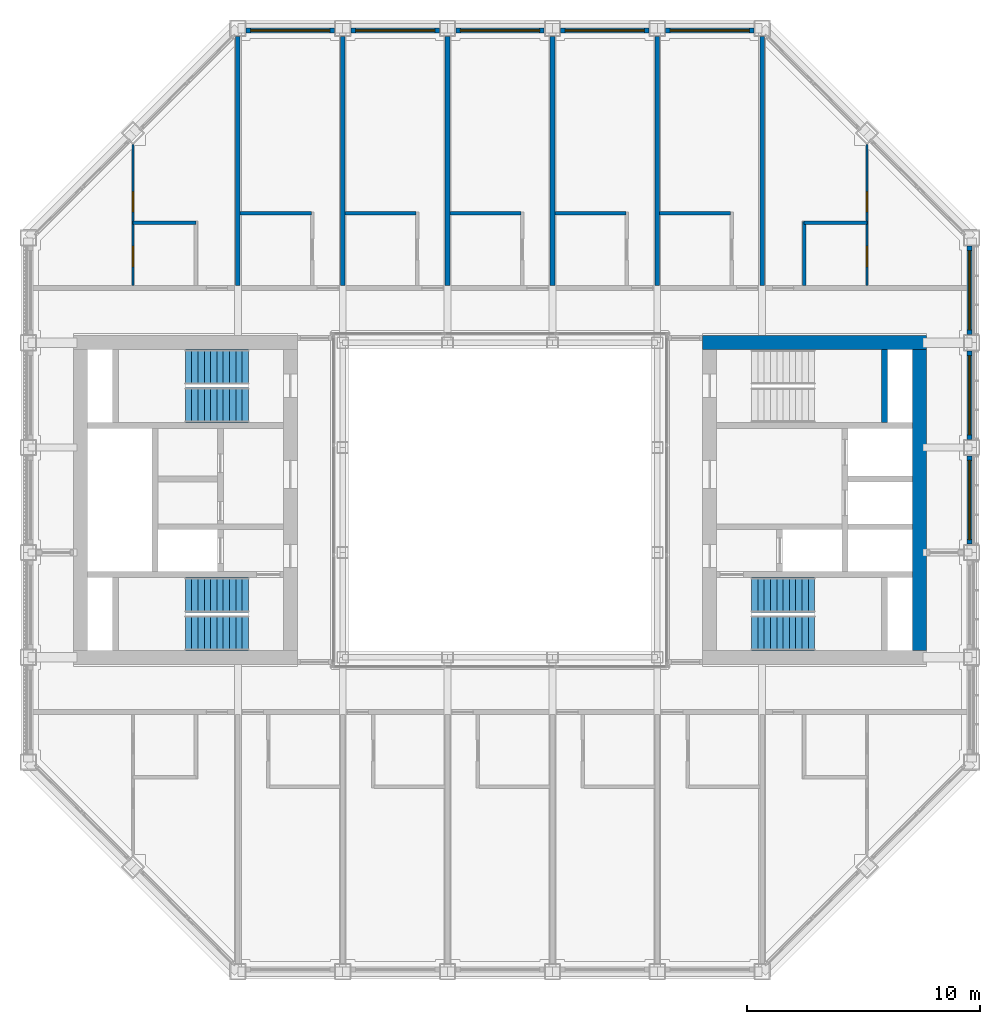
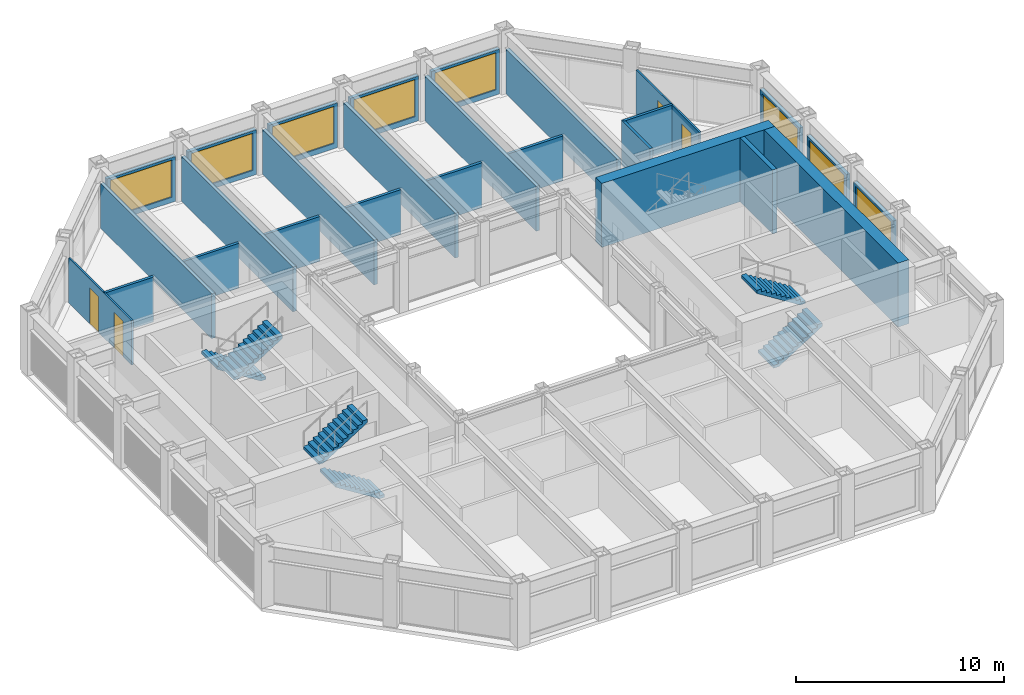
# One storey, part 12 of 18: 27 walls, 8 windows, 6 stair flights, 4 doors, 12 openings, 3 elements without a shape of their own.
"""IFC4 building model written with IfcOpenShell, lengths in metres."""

from ifc_helpers import new_model, si_unit, direction, frame, frame_2d, origin, place, context, subcontext, project, spatial, polyline, rectangle, outline, extrude, material, layer, layer_set, type_object, element, fill, aggregate, save


model = new_model("IFC4")

# Units and contexts
model_context = context("Model", 3, precision=1e-05, world=origin(), true_north=direction((0.0, 1.0)))
body_context = subcontext(model_context, "Body", "Model", "MODEL_VIEW")
ifc_project = project(units=[si_unit("LENGTHUNIT", "METRE"), si_unit("AREAUNIT", "SQUARE_METRE"), si_unit("VOLUMEUNIT", "CUBIC_METRE"), si_unit("PLANEANGLEUNIT", "RADIAN"), si_unit("MASSUNIT", "GRAM", prefix="KILO")], contexts=[model_context])

# Site, building, storey
site_placement = place(None, origin())
site = spatial("IfcSite", under=ifc_project, at=site_placement, CompositionType="ELEMENT")
building_placement = place(site_placement, origin())
building = spatial("IfcBuilding", under=site, at=building_placement, Name="Msasa Ring Tower", CompositionType="ELEMENT")
storey_placement = place(building_placement, frame((0.0, 0.0, 204.550048828125)))
storey = spatial("IfcBuildingStorey", under=building, at=storey_placement, Name="L53", CompositionType="ELEMENT", Elevation=204.550048828125)

# Walls
ifc_material_1 = material(Name="Concrete C60/75", Category="concrete")
ifc_layer_1 = layer(ifc_material_1, 0.60009765625)
ifc_layer_set_1 = layer_set([ifc_layer_1], Name="CW3 CORE WALL 600")
wall_type_1 = type_object("IfcWallType", Name="CW3 CORE WALL 600", PredefinedType="SHEAR", material=ifc_layer_set_1)
wall_1_placement = place(storey_placement, frame((8.699951171875, 6.75, 0.0), z_axis=(0.0, 0.0, 1.0), x_axis=(1.0, 0.0, 0.0)))
element("IfcWall", 1, at=wall_1_placement, inside=storey, type_object=wall_type_1, Name="E core wall N L53", PredefinedType="SHEAR", context=body_context, shape_type="SweptSolid", body=[
    extrude(rectangle(XDim=9.60009765625, YDim=0.60009765625, at=frame_2d((4.800048828125, 0.0))), origin(), (0.0, 0.0, 1.0), 3.75),
])
wall_2_placement = place(storey_placement, frame((18.0, -6.449951171875, 0.0), z_axis=(0.0, 0.0, 1.0), x_axis=(0.0, 1.0, 0.0)))
element("IfcWall", 2, at=wall_2_placement, inside=storey, type_object=wall_type_1, Name="E core wall E L53", PredefinedType="SHEAR", context=body_context, shape_type="SweptSolid", body=[
    extrude(rectangle(XDim=12.89990234375, YDim=0.60009765625, at=frame_2d((6.449951171875, 0.0))), origin(), (0.0, 0.0, 1.0), 3.75),
])
ifc_material_2 = material(Name="Concrete C60/75", Category="concrete")
ifc_layer_2 = layer(ifc_material_2, 0.25)
ifc_layer_set_2 = layer_set([ifc_layer_2], Name="CW4 CORE INNER WALL 250")
wall_type_2 = type_object("IfcWallType", Name="CW4 CORE INNER WALL 250", PredefinedType="SHEAR", material=ifc_layer_set_2)
wall_3_placement = place(storey_placement, frame((16.5, 3.324951171875, 0.0), z_axis=(0.0, 0.0, 1.0), x_axis=(0.0, 1.0, 0.0)))
element("IfcWall", 3, at=wall_3_placement, inside=storey, type_object=wall_type_2, Name="E core wall RISERB L53", PredefinedType="SHEAR", context=body_context, shape_type="SweptSolid", body=[
    extrude(rectangle(XDim=3.125, YDim=0.25, at=frame_2d((1.5625, 0.0))), origin(), (0.0, 0.0, 1.0), 3.75),
])

# Wall, opening, window
ifc_material_3 = material(Name="Terracotta rainscreen on blockwork", Category="masonry")
ifc_layer_3 = layer(ifc_material_3, 0.199951171875)
ifc_layer_set_3 = layer_set([ifc_layer_3], Name="FW1 TERRACOTTA-LINED INFILL BAY WALL 200")
wall_type_3 = type_object("IfcWallType", Name="FW1 TERRACOTTA-LINED INFILL BAY WALL 200", PredefinedType="SOLIDWALL", material=ifc_layer_set_3)
wall_4_placement = place(storey_placement, frame((20.14990234375, -1.89501953125, 0.0), z_axis=(0.0, 0.0, 1.0), x_axis=(0.0, 1.0, 0.0)))
wall_4 = element("IfcWall", 4, at=wall_4_placement, inside=storey, type_object=wall_type_3, Name="Infill bay wall E L53 09", PredefinedType="SOLIDWALL", context=body_context, shape_type="SweptSolid", body=[
    extrude(rectangle(XDim=3.7900390625, YDim=0.199951171875, at=frame_2d((1.89501953125, 0.0))), origin(), (0.0, 0.0, 1.0), 2.62890625),
])
opening_1_placement = place(wall_4_placement, frame((0.195068359375, 0.0, 0.300048828125)))
opening_1 = element("IfcOpeningElement", 5, at=opening_1_placement, cuts=wall_4, Name="Opening WN3", PredefinedType="OPENING", context=body_context, shape_type="SweptSolid", body=[
    extrude(rectangle(XDim=3.39990234375, YDim=2.178955078125, at=frame_2d((1.699951171875, 1.08935546875))), frame((0.0, 0.10986328125, 0.0), z_axis=(0.0, -1.0, 0.0), x_axis=(1.0, 0.0, 0.0)), (0.0, 0.0, 1.0), 0.219970703125),
])
ifc_material_4 = material(Name="Aluminium frame with clear glass", Category="aluminium")
window_type = type_object("IfcWindowType", Name="WN3 SUITE WINDOW 3400x2179", PartitioningType="SINGLE_PANEL", PredefinedType="WINDOW", material=ifc_material_4)
window_1_placement = place(opening_1_placement, origin())
window_1 = element("IfcWindow", 6, at=window_1_placement, inside=storey, type_object=window_type, Name="Window E L53 09", OverallHeight=2.178955078125, OverallWidth=3.39990234375, PartitioningType="SINGLE_PANEL", PredefinedType="WINDOW", context=body_context, shape_type="SweptSolid", body=[
    extrude(rectangle(XDim=3.39990234375, YDim=2.178955078125, at=frame_2d((1.699951171875, 1.08935546875))), frame((0.0, 0.030029296875, 0.0), z_axis=(0.0, -1.0, 0.0), x_axis=(1.0, 0.0, 0.0)), (0.0, 0.0, 1.0), 0.06005859375),
])
fill(opening_1, window_1)

wall_5_placement = place(storey_placement, frame((20.14990234375, 2.60498046875, 0.0), z_axis=(0.0, 0.0, 1.0), x_axis=(0.0, 1.0, 0.0)))
wall_5 = element("IfcWall", 7, at=wall_5_placement, inside=storey, type_object=wall_type_3, Name="Infill bay wall E L53 10", PredefinedType="SOLIDWALL", context=body_context, shape_type="SweptSolid", body=[
    extrude(rectangle(XDim=3.7900390625, YDim=0.199951171875, at=frame_2d((1.89501953125, 0.0))), origin(), (0.0, 0.0, 1.0), 2.62890625),
])
opening_2_placement = place(wall_5_placement, frame((0.195068359375, 0.0, 0.300048828125)))
opening_2 = element("IfcOpeningElement", 8, at=opening_2_placement, cuts=wall_5, Name="Opening WN3", PredefinedType="OPENING", context=body_context, shape_type="SweptSolid", body=[
    extrude(rectangle(XDim=3.39990234375, YDim=2.178955078125, at=frame_2d((1.699951171875, 1.08935546875))), frame((0.0, 0.10986328125, 0.0), z_axis=(0.0, -1.0, 0.0), x_axis=(1.0, 0.0, 0.0)), (0.0, 0.0, 1.0), 0.219970703125),
])
window_2_placement = place(opening_2_placement, origin())
window_2 = element("IfcWindow", 9, at=window_2_placement, inside=storey, type_object=window_type, Name="Window E L53 10", OverallHeight=2.178955078125, OverallWidth=3.39990234375, PartitioningType="SINGLE_PANEL", PredefinedType="WINDOW", context=body_context, shape_type="SweptSolid", body=[
    extrude(rectangle(XDim=3.39990234375, YDim=2.178955078125, at=frame_2d((1.699951171875, 1.08935546875))), frame((0.0, 0.030029296875, 0.0), z_axis=(0.0, -1.0, 0.0), x_axis=(1.0, 0.0, 0.0)), (0.0, 0.0, 1.0), 0.06005859375),
])
fill(opening_2, window_2)

wall_6_placement = place(storey_placement, frame((20.14990234375, 7.10498046875, 0.0), z_axis=(0.0, 0.0, 1.0), x_axis=(0.0, 1.0, 0.0)))
wall_6 = element("IfcWall", 10, at=wall_6_placement, inside=storey, type_object=wall_type_3, Name="Infill bay wall E L53 11", PredefinedType="SOLIDWALL", context=body_context, shape_type="SweptSolid", body=[
    extrude(rectangle(XDim=3.7900390625, YDim=0.199951171875, at=frame_2d((1.89501953125, 0.0))), origin(), (0.0, 0.0, 1.0), 2.62890625),
])
opening_3_placement = place(wall_6_placement, frame((0.195068359375, 0.0, 0.300048828125)))
opening_3 = element("IfcOpeningElement", 11, at=opening_3_placement, cuts=wall_6, Name="Opening WN3", PredefinedType="OPENING", context=body_context, shape_type="SweptSolid", body=[
    extrude(rectangle(XDim=3.39990234375, YDim=2.178955078125, at=frame_2d((1.699951171875, 1.08935546875))), frame((0.0, 0.10986328125, 0.0), z_axis=(0.0, -1.0, 0.0), x_axis=(1.0, 0.0, 0.0)), (0.0, 0.0, 1.0), 0.219970703125),
])
window_3_placement = place(opening_3_placement, origin())
window_3 = element("IfcWindow", 12, at=window_3_placement, inside=storey, type_object=window_type, Name="Window E L53 11", OverallHeight=2.178955078125, OverallWidth=3.39990234375, PartitioningType="SINGLE_PANEL", PredefinedType="WINDOW", context=body_context, shape_type="SweptSolid", body=[
    extrude(rectangle(XDim=3.39990234375, YDim=2.178955078125, at=frame_2d((1.699951171875, 1.08935546875))), frame((0.0, 0.030029296875, 0.0), z_axis=(0.0, -1.0, 0.0), x_axis=(1.0, 0.0, 0.0)), (0.0, 0.0, 1.0), 0.06005859375),
])
fill(opening_3, window_3)

wall_7_placement = place(storey_placement, frame((-10.89501953125, 20.14990234375, 0.0), z_axis=(0.0, 0.0, 1.0), x_axis=(1.0, 0.0, 0.0)))
wall_7 = element("IfcWall", 13, at=wall_7_placement, inside=storey, type_object=wall_type_3, Name="Infill bay wall N L53 14", PredefinedType="SOLIDWALL", context=body_context, shape_type="SweptSolid", body=[
    extrude(rectangle(XDim=3.7900390625, YDim=0.199951171875, at=frame_2d((1.89501953125, 0.0))), origin(), (0.0, 0.0, 1.0), 2.62890625),
])
opening_4_placement = place(wall_7_placement, frame((0.195068359375, 0.0, 0.300048828125)))
opening_4 = element("IfcOpeningElement", 14, at=opening_4_placement, cuts=wall_7, Name="Opening WN3", PredefinedType="OPENING", context=body_context, shape_type="SweptSolid", body=[
    extrude(rectangle(XDim=3.39990234375, YDim=2.178955078125, at=frame_2d((1.699951171875, 1.08935546875))), frame((0.0, 0.10986328125, 0.0), z_axis=(0.0, -1.0, 0.0), x_axis=(1.0, 0.0, 0.0)), (0.0, 0.0, 1.0), 0.219970703125),
])
window_4_placement = place(opening_4_placement, origin())
window_4 = element("IfcWindow", 15, at=window_4_placement, inside=storey, type_object=window_type, Name="Window N L53 14", OverallHeight=2.178955078125, OverallWidth=3.39990234375, PartitioningType="SINGLE_PANEL", PredefinedType="WINDOW", context=body_context, shape_type="SweptSolid", body=[
    extrude(rectangle(XDim=3.39990234375, YDim=2.178955078125, at=frame_2d((1.699951171875, 1.08935546875))), frame((0.0, 0.030029296875, 0.0), z_axis=(0.0, -1.0, 0.0), x_axis=(1.0, 0.0, 0.0)), (0.0, 0.0, 1.0), 0.06005859375),
])
fill(opening_4, window_4)

wall_8_placement = place(storey_placement, frame((-6.39501953125, 20.14990234375, 0.0), z_axis=(0.0, 0.0, 1.0), x_axis=(1.0, 0.0, 0.0)))
wall_8 = element("IfcWall", 16, at=wall_8_placement, inside=storey, type_object=wall_type_3, Name="Infill bay wall N L53 15", PredefinedType="SOLIDWALL", context=body_context, shape_type="SweptSolid", body=[
    extrude(rectangle(XDim=3.7900390625, YDim=0.199951171875, at=frame_2d((1.89501953125, 0.0))), origin(), (0.0, 0.0, 1.0), 2.62890625),
])
opening_5_placement = place(wall_8_placement, frame((0.195068359375, 0.0, 0.300048828125)))
opening_5 = element("IfcOpeningElement", 17, at=opening_5_placement, cuts=wall_8, Name="Opening WN3", PredefinedType="OPENING", context=body_context, shape_type="SweptSolid", body=[
    extrude(rectangle(XDim=3.39990234375, YDim=2.178955078125, at=frame_2d((1.699951171875, 1.08935546875))), frame((0.0, 0.10986328125, 0.0), z_axis=(0.0, -1.0, 0.0), x_axis=(1.0, 0.0, 0.0)), (0.0, 0.0, 1.0), 0.219970703125),
])
window_5_placement = place(opening_5_placement, origin())
window_5 = element("IfcWindow", 18, at=window_5_placement, inside=storey, type_object=window_type, Name="Window N L53 15", OverallHeight=2.178955078125, OverallWidth=3.39990234375, PartitioningType="SINGLE_PANEL", PredefinedType="WINDOW", context=body_context, shape_type="SweptSolid", body=[
    extrude(rectangle(XDim=3.39990234375, YDim=2.178955078125, at=frame_2d((1.699951171875, 1.08935546875))), frame((0.0, 0.030029296875, 0.0), z_axis=(0.0, -1.0, 0.0), x_axis=(1.0, 0.0, 0.0)), (0.0, 0.0, 1.0), 0.06005859375),
])
fill(opening_5, window_5)

wall_9_placement = place(storey_placement, frame((-1.89501953125, 20.14990234375, 0.0), z_axis=(0.0, 0.0, 1.0), x_axis=(1.0, 0.0, 0.0)))
wall_9 = element("IfcWall", 19, at=wall_9_placement, inside=storey, type_object=wall_type_3, Name="Infill bay wall N L53 16", PredefinedType="SOLIDWALL", context=body_context, shape_type="SweptSolid", body=[
    extrude(rectangle(XDim=3.7900390625, YDim=0.199951171875, at=frame_2d((1.89501953125, 0.0))), origin(), (0.0, 0.0, 1.0), 2.62890625),
])
opening_6_placement = place(wall_9_placement, frame((0.195068359375, 0.0, 0.300048828125)))
opening_6 = element("IfcOpeningElement", 20, at=opening_6_placement, cuts=wall_9, Name="Opening WN3", PredefinedType="OPENING", context=body_context, shape_type="SweptSolid", body=[
    extrude(rectangle(XDim=3.39990234375, YDim=2.178955078125, at=frame_2d((1.699951171875, 1.08935546875))), frame((0.0, 0.10986328125, 0.0), z_axis=(0.0, -1.0, 0.0), x_axis=(1.0, 0.0, 0.0)), (0.0, 0.0, 1.0), 0.219970703125),
])
window_6_placement = place(opening_6_placement, origin())
window_6 = element("IfcWindow", 21, at=window_6_placement, inside=storey, type_object=window_type, Name="Window N L53 16", OverallHeight=2.178955078125, OverallWidth=3.39990234375, PartitioningType="SINGLE_PANEL", PredefinedType="WINDOW", context=body_context, shape_type="SweptSolid", body=[
    extrude(rectangle(XDim=3.39990234375, YDim=2.178955078125, at=frame_2d((1.699951171875, 1.08935546875))), frame((0.0, 0.030029296875, 0.0), z_axis=(0.0, -1.0, 0.0), x_axis=(1.0, 0.0, 0.0)), (0.0, 0.0, 1.0), 0.06005859375),
])
fill(opening_6, window_6)

wall_10_placement = place(storey_placement, frame((2.60498046875, 20.14990234375, 0.0), z_axis=(0.0, 0.0, 1.0), x_axis=(1.0, 0.0, 0.0)))
wall_10 = element("IfcWall", 22, at=wall_10_placement, inside=storey, type_object=wall_type_3, Name="Infill bay wall N L53 17", PredefinedType="SOLIDWALL", context=body_context, shape_type="SweptSolid", body=[
    extrude(rectangle(XDim=3.7900390625, YDim=0.199951171875, at=frame_2d((1.89501953125, 0.0))), origin(), (0.0, 0.0, 1.0), 2.62890625),
])
opening_7_placement = place(wall_10_placement, frame((0.195068359375, 0.0, 0.300048828125)))
opening_7 = element("IfcOpeningElement", 23, at=opening_7_placement, cuts=wall_10, Name="Opening WN3", PredefinedType="OPENING", context=body_context, shape_type="SweptSolid", body=[
    extrude(rectangle(XDim=3.39990234375, YDim=2.178955078125, at=frame_2d((1.699951171875, 1.08935546875))), frame((0.0, 0.10986328125, 0.0), z_axis=(0.0, -1.0, 0.0), x_axis=(1.0, 0.0, 0.0)), (0.0, 0.0, 1.0), 0.219970703125),
])
window_7_placement = place(opening_7_placement, origin())
window_7 = element("IfcWindow", 24, at=window_7_placement, inside=storey, type_object=window_type, Name="Window N L53 17", OverallHeight=2.178955078125, OverallWidth=3.39990234375, PartitioningType="SINGLE_PANEL", PredefinedType="WINDOW", context=body_context, shape_type="SweptSolid", body=[
    extrude(rectangle(XDim=3.39990234375, YDim=2.178955078125, at=frame_2d((1.699951171875, 1.08935546875))), frame((0.0, 0.030029296875, 0.0), z_axis=(0.0, -1.0, 0.0), x_axis=(1.0, 0.0, 0.0)), (0.0, 0.0, 1.0), 0.06005859375),
])
fill(opening_7, window_7)

wall_11_placement = place(storey_placement, frame((7.10498046875, 20.14990234375, 0.0), z_axis=(0.0, 0.0, 1.0), x_axis=(1.0, 0.0, 0.0)))
wall_11 = element("IfcWall", 25, at=wall_11_placement, inside=storey, type_object=wall_type_3, Name="Infill bay wall N L53 18", PredefinedType="SOLIDWALL", context=body_context, shape_type="SweptSolid", body=[
    extrude(rectangle(XDim=3.7900390625, YDim=0.199951171875, at=frame_2d((1.89501953125, 0.0))), origin(), (0.0, 0.0, 1.0), 2.62890625),
])
opening_8_placement = place(wall_11_placement, frame((0.195068359375, 0.0, 0.300048828125)))
opening_8 = element("IfcOpeningElement", 26, at=opening_8_placement, cuts=wall_11, Name="Opening WN3", PredefinedType="OPENING", context=body_context, shape_type="SweptSolid", body=[
    extrude(rectangle(XDim=3.39990234375, YDim=2.178955078125, at=frame_2d((1.699951171875, 1.08935546875))), frame((0.0, 0.10986328125, 0.0), z_axis=(0.0, -1.0, 0.0), x_axis=(1.0, 0.0, 0.0)), (0.0, 0.0, 1.0), 0.219970703125),
])
window_8_placement = place(opening_8_placement, origin())
window_8 = element("IfcWindow", 27, at=window_8_placement, inside=storey, type_object=window_type, Name="Window N L53 18", OverallHeight=2.178955078125, OverallWidth=3.39990234375, PartitioningType="SINGLE_PANEL", PredefinedType="WINDOW", context=body_context, shape_type="SweptSolid", body=[
    extrude(rectangle(XDim=3.39990234375, YDim=2.178955078125, at=frame_2d((1.699951171875, 1.08935546875))), frame((0.0, 0.030029296875, 0.0), z_axis=(0.0, -1.0, 0.0), x_axis=(1.0, 0.0, 0.0)), (0.0, 0.0, 1.0), 0.06005859375),
])
fill(opening_8, window_8)

# Wall, openings, doors
ifc_material_5 = material(Name="Gypsum board on steel studs", Category="steel")
ifc_layer_4 = layer(ifc_material_5, 0.10009765625)
ifc_layer_set_4 = layer_set([ifc_layer_4], Name="PT2 STUD PARTITION 100")
wall_type_4 = type_object("IfcWallType", Name="PT2 STUD PARTITION 100", PredefinedType="PARTITIONING", material=ifc_layer_set_4)
wall_12_placement = place(storey_placement, frame((15.75, 9.199951171875, 0.0), z_axis=(0.0, 0.0, 1.0), x_axis=(0.0, 1.0, 0.0)))
wall_12 = element("IfcWall", 28, at=wall_12_placement, inside=storey, type_object=wall_type_4, Name="Partition L53-CSNEP1", PredefinedType="PARTITIONING", context=body_context, shape_type="SweptSolid", body=[
    extrude(rectangle(XDim=6.054931640625, YDim=0.10009765625, at=frame_2d((3.02734375, 0.0))), origin(), (0.0, 0.0, 1.0), 2.62890625),
])
opening_9_placement = place(wall_12_placement, frame((3.175048828125, 0.0, 0.0)))
opening_9 = element("IfcOpeningElement", 29, at=opening_9_placement, cuts=wall_12, Name="Opening SA-002", PredefinedType="OPENING", context=body_context, shape_type="SweptSolid", body=[
    extrude(rectangle(XDim=0.85009765625, YDim=2.10009765625, at=frame_2d((0.425048828125, 1.050048828125))), frame((0.0, 0.06005859375, 0.0), z_axis=(0.0, -1.0, 0.0), x_axis=(1.0, 0.0, 0.0)), (0.0, 0.0, 1.0), 0.1201171875),
])
opening_10_placement = place(wall_12_placement, frame((0.800048828125, 0.0, 0.0)))
opening_10 = element("IfcOpeningElement", 30, at=opening_10_placement, cuts=wall_12, Name="Opening SA-009", PredefinedType="OPENING", context=body_context, shape_type="SweptSolid", body=[
    extrude(rectangle(XDim=0.89990234375, YDim=2.10009765625, at=frame_2d((0.449951171875, 1.050048828125))), frame((0.0, 0.06005859375, 0.0), z_axis=(0.0, -1.0, 0.0), x_axis=(1.0, 0.0, 0.0)), (0.0, 0.0, 1.0), 0.1201171875),
])
ifc_material_6 = material(Name="Timber door leaf in a steel frame", Category="steel")
door_type_1 = type_object("IfcDoorType", Name="D14 BEDROOM DOOR 850x2100", OperationType="SINGLE_SWING_LEFT", PredefinedType="DOOR", material=ifc_material_6)
door_1_placement = place(opening_9_placement, origin())
door_1 = element("IfcDoor", 31, at=door_1_placement, inside=storey, type_object=door_type_1, Name="Door L53-CSNER1", OperationType="SINGLE_SWING_RIGHT", OverallHeight=2.10009765625, OverallWidth=0.85009765625, PredefinedType="DOOR", context=body_context, shape_type="SweptSolid", body=[
    extrude(rectangle(XDim=0.85009765625, YDim=2.10009765625, at=frame_2d((0.425048828125, 1.050048828125))), frame((0.0, 0.02490234375, 0.0), z_axis=(0.0, -1.0, 0.0), x_axis=(1.0, 0.0, 0.0)), (0.0, 0.0, 1.0), 0.050048828125),
])
fill(opening_9, door_1)
ifc_material_7 = material(Name="Timber door leaf in a steel frame", Category="steel")
door_type_2 = type_object("IfcDoorType", Name="D3 BATHROOM DOOR 900x2100", OperationType="SINGLE_SWING_LEFT", PredefinedType="DOOR", material=ifc_material_7)
door_2_placement = place(opening_10_placement, origin())
door_2 = element("IfcDoor", 32, at=door_2_placement, inside=storey, type_object=door_type_2, Name="Door L53-CSNEB1", OperationType="SINGLE_SWING_LEFT", OverallHeight=2.10009765625, OverallWidth=0.89990234375, PredefinedType="DOOR", context=body_context, shape_type="SweptSolid", body=[
    extrude(rectangle(XDim=0.89990234375, YDim=2.10009765625, at=frame_2d((0.449951171875, 1.050048828125))), frame((0.0, 0.02490234375, 0.0), z_axis=(0.0, -1.0, 0.0), x_axis=(1.0, 0.0, 0.0)), (0.0, 0.0, 1.0), 0.050048828125),
])
fill(opening_10, door_2)

wall_13_placement = place(storey_placement, frame((-15.75, 9.199951171875, 0.0), z_axis=(0.0, 0.0, 1.0), x_axis=(0.0, 1.0, 0.0)))
wall_13 = element("IfcWall", 33, at=wall_13_placement, inside=storey, type_object=wall_type_4, Name="Partition L53-CSNWP1", PredefinedType="PARTITIONING", context=body_context, shape_type="SweptSolid", body=[
    extrude(rectangle(XDim=6.054931640625, YDim=0.10009765625, at=frame_2d((3.02734375, 0.0))), origin(), (0.0, 0.0, 1.0), 2.62890625),
])
opening_11_placement = place(wall_13_placement, frame((3.175048828125, 0.0, 0.0)))
opening_11 = element("IfcOpeningElement", 34, at=opening_11_placement, cuts=wall_13, Name="Opening SA-001", PredefinedType="OPENING", context=body_context, shape_type="SweptSolid", body=[
    extrude(rectangle(XDim=0.85009765625, YDim=2.10009765625, at=frame_2d((0.425048828125, 1.050048828125))), frame((0.0, 0.06005859375, 0.0), z_axis=(0.0, -1.0, 0.0), x_axis=(1.0, 0.0, 0.0)), (0.0, 0.0, 1.0), 0.1201171875),
])
opening_12_placement = place(wall_13_placement, frame((0.800048828125, 0.0, 0.0)))
opening_12 = element("IfcOpeningElement", 35, at=opening_12_placement, cuts=wall_13, Name="Opening SA-008", PredefinedType="OPENING", context=body_context, shape_type="SweptSolid", body=[
    extrude(rectangle(XDim=0.89990234375, YDim=2.10009765625, at=frame_2d((0.449951171875, 1.050048828125))), frame((0.0, 0.06005859375, 0.0), z_axis=(0.0, -1.0, 0.0), x_axis=(1.0, 0.0, 0.0)), (0.0, 0.0, 1.0), 0.1201171875),
])
door_3_placement = place(opening_11_placement, origin())
door_3 = element("IfcDoor", 36, at=door_3_placement, inside=storey, type_object=door_type_1, Name="Door L53-CSNWR1", OperationType="SINGLE_SWING_RIGHT", OverallHeight=2.10009765625, OverallWidth=0.85009765625, PredefinedType="DOOR", context=body_context, shape_type="SweptSolid", body=[
    extrude(rectangle(XDim=0.85009765625, YDim=2.10009765625, at=frame_2d((0.425048828125, 1.050048828125))), frame((0.0, 0.02490234375, 0.0), z_axis=(0.0, -1.0, 0.0), x_axis=(1.0, 0.0, 0.0)), (0.0, 0.0, 1.0), 0.050048828125),
])
fill(opening_11, door_3)
door_4_placement = place(opening_12_placement, origin())
door_4 = element("IfcDoor", 37, at=door_4_placement, inside=storey, type_object=door_type_2, Name="Door L53-CSNWB1", OperationType="SINGLE_SWING_LEFT", OverallHeight=2.10009765625, OverallWidth=0.89990234375, PredefinedType="DOOR", context=body_context, shape_type="SweptSolid", body=[
    extrude(rectangle(XDim=0.89990234375, YDim=2.10009765625, at=frame_2d((0.449951171875, 1.050048828125))), frame((0.0, 0.02490234375, 0.0), z_axis=(0.0, -1.0, 0.0), x_axis=(1.0, 0.0, 0.0)), (0.0, 0.0, 1.0), 0.050048828125),
])
fill(opening_12, door_4)

# Walls
ifc_material_8 = material(Name="Dense concrete blockwork, plastered both faces", Category="masonry")
ifc_layer_5 = layer(ifc_material_8, 0.25)
ifc_layer_set_5 = layer_set([ifc_layer_5], Name="PT3 APARTMENT SEPARATING WALL 250")
wall_type_5 = type_object("IfcWallType", Name="PT3 APARTMENT SEPARATING WALL 250", PredefinedType="PARTITIONING", material=ifc_layer_set_5)
for number, where, z_axis, x_axis, name in (
    (38, (-11.25, 9.199951171875, 0.0), (0.0, 0.0, 1.0), (0.0, 1.0, 0.0), "Party wall L53-PWN-11.25"),
    (39, (-6.75, 9.199951171875, 0.0), (0.0, 0.0, 1.0), (0.0, 1.0, 0.0), "Party wall L53-PWN-6.75"),
    (40, (-2.25, 9.199951171875, 0.0), (0.0, 0.0, 1.0), (0.0, 1.0, 0.0), "Party wall L53-PWN-2.25"),
    (41, (2.25, 9.199951171875, 0.0), (0.0, 0.0, 1.0), (0.0, 1.0, 0.0), "Party wall L53-PWN+2.25"),
    (42, (6.75, 9.199951171875, 0.0), (0.0, 0.0, 1.0), (0.0, 1.0, 0.0), "Party wall L53-PWN+6.75"),
    (43, (11.25, 9.199951171875, 0.0), (0.0, 0.0, 1.0), (0.0, 1.0, 0.0), "Party wall L53-PWN+11.25"),
):
    element("IfcWall", number, at=place(storey_placement, frame(where, z_axis=z_axis, x_axis=x_axis)), inside=storey, type_object=wall_type_5, Name=name, PredefinedType="PARTITIONING", context=body_context, shape_type="SweptSolid", body=[
        extrude(rectangle(XDim=10.699951171875, YDim=0.199951171875, at=frame_2d((5.35009765625, 0.0))), origin(), (0.0, 0.0, 1.0), 2.62890625),
    ])
ifc_material_9 = material(Name="Moisture-resistant board on steel studs with a concealed cistern and pipe void, tiled", Category="steel")
ifc_layer_6 = layer(ifc_material_9, 0.14990234375)
ifc_layer_set_6 = layer_set([ifc_layer_6], Name="PT4 BATHROOM WET WALL 150")
wall_type_6 = type_object("IfcWallType", Name="PT4 BATHROOM WET WALL 150", PredefinedType="PARTITIONING", material=ifc_layer_set_6)
for number, where, z_axis, x_axis, name in (
    (44, (-11.14990234375, 12.300048828125, 0.0), (0.0, 0.0, 1.0), (1.0, 0.0, 0.0), "Partition L53-JN00BY"),
    (45, (-6.64990234375, 12.300048828125, 0.0), (0.0, 0.0, 1.0), (1.0, 0.0, 0.0), "Partition L53-JN01BY"),
    (46, (-2.14990234375, 12.300048828125, 0.0), (0.0, 0.0, 1.0), (1.0, 0.0, 0.0), "Partition L53-JN02BY"),
    (47, (2.35009765625, 12.300048828125, 0.0), (0.0, 0.0, 1.0), (1.0, 0.0, 0.0), "Partition L53-JN03BY"),
    (48, (6.85009765625, 12.300048828125, 0.0), (0.0, 0.0, 1.0), (1.0, 0.0, 0.0), "Partition L53-JN04BY"),
):
    element("IfcWall", number, at=place(storey_placement, frame(where, z_axis=z_axis, x_axis=x_axis)), inside=storey, type_object=wall_type_6, Name=name, PredefinedType="PARTITIONING", context=body_context, shape_type="SweptSolid", body=[
        extrude(rectangle(XDim=3.0498046875, YDim=0.14990234375, at=frame_2d((1.52490234375, 0.0))), origin(), (0.0, 0.0, 1.0), 2.62890625),
    ])
wall_14_placement = place(storey_placement, frame((13.050048828125, 9.199951171875, 0.0), z_axis=(0.0, 0.0, 1.0), x_axis=(0.0, 1.0, 0.0)))
element("IfcWall", 49, at=wall_14_placement, inside=storey, type_object=wall_type_6, Name="Partition L53-CSNEBX", PredefinedType="PARTITIONING", context=body_context, shape_type="SweptSolid", body=[
    extrude(rectangle(XDim=2.75, YDim=0.14990234375, at=frame_2d((1.375, 0.0))), origin(), (0.0, 0.0, 1.0), 2.62890625),
])
for number, where, z_axis, x_axis, name in (
    (50, (13.050048828125, 11.89990234375, 0.0), (0.0, 0.0, 1.0), (1.0, 0.0, 0.0), "Partition L53-CSNEBY"),
    (51, (-15.75, 11.89990234375, 0.0), (0.0, 0.0, 1.0), (1.0, 0.0, 0.0), "Partition L53-CSNWBY"),
):
    element("IfcWall", number, at=place(storey_placement, frame(where, z_axis=z_axis, x_axis=x_axis)), inside=storey, type_object=wall_type_6, Name=name, PredefinedType="PARTITIONING", context=body_context, shape_type="SweptSolid", body=[
        extrude(rectangle(XDim=2.699951171875, YDim=0.14990234375, at=frame_2d((1.35009765625, 0.0))), origin(), (0.0, 0.0, 1.0), 2.62890625),
    ])

# Stair, stair flights
ifc_material_10 = material(Name="Concrete C40/50", Category="concrete")
stair_type = type_object("IfcStairType", Name="STC CORE STAIR 22 RISERS 170.5", PredefinedType="HALF_TURN_STAIR", material=ifc_material_10)
stair_1_placement = place(storey_placement, origin())
stair_1 = element("IfcStair", 52, at=stair_1_placement, inside=storey, type_object=stair_type, Name="Core stair SEA L53", PredefinedType="HALF_TURN_STAIR")
ifc_material_11 = material(Name="Concrete C40/50", Category="concrete")
stair_flight_type = type_object("IfcStairFlightType", Name="ST11 CORE STAIR FLIGHT 1500 11 RISERS 170.5", PredefinedType="STRAIGHT", material=ifc_material_11)
stair_flight_1_placement = place(storey_placement, frame((10.800048828125, -5.699951171875, 0.0), z_axis=(0.0, 0.0, 1.0), x_axis=(1.0, 0.0, 0.0)))
stair_flight_1 = element("IfcStairFlight", 53, at=stair_flight_1_placement, type_object=stair_flight_type, Name="SEA flight 1", NumberOfRisers=11, NumberOfTreads=10, PredefinedType="STRAIGHT", RiserHeight=0.170454545, TreadLength=0.27, context=body_context, shape_type="SweptSolid", body=[
    extrude(outline(polyline([(0.0, 0.0), (0.0, 0.17041015625), (0.27001953125, 0.17041015625), (0.27001953125, 0.3408203125), (0.5400390625, 0.3408203125), (0.5400390625, 0.511474609375), (0.81005859375, 0.511474609375), (0.81005859375, 0.681884765625), (1.080078125, 0.681884765625), (1.080078125, 0.852294921875), (1.35009765625, 0.852294921875), (1.35009765625, 1.022705078125), (1.6201171875, 1.022705078125), (1.6201171875, 1.193115234375), (1.889892578125, 1.193115234375), (1.889892578125, 1.363525390625), (2.159912109375, 1.363525390625), (2.159912109375, 1.5341796875), (2.429931640625, 1.5341796875), (2.429931640625, 1.70458984375), (2.699951171875, 1.70458984375), (2.699951171875, 1.875), (2.699951171875, 1.52734375), (0.28076171875, 0.0), (0.0, 0.0)])), frame((0.0, 0.75, 0.0), z_axis=(0.0, -1.0, 0.0), x_axis=(1.0, 0.0, 0.0)), (0.0, 0.0, 1.0), 1.5),
])
stair_flight_2_placement = place(storey_placement, frame((13.5, -4.074951171875, 1.875), z_axis=(0.0, 0.0, 1.0), x_axis=(-1.0, 0.0, 0.0)))
stair_flight_2 = element("IfcStairFlight", 54, at=stair_flight_2_placement, type_object=stair_flight_type, Name="SEA flight 2", NumberOfRisers=11, NumberOfTreads=10, PredefinedType="STRAIGHT", RiserHeight=0.170454545, TreadLength=0.27, context=body_context, shape_type="SweptSolid", body=[
    extrude(outline(polyline([(0.0, 0.0), (0.0, 0.17041015625), (0.27001953125, 0.17041015625), (0.27001953125, 0.3408203125), (0.5400390625, 0.3408203125), (0.5400390625, 0.511474609375), (0.81005859375, 0.511474609375), (0.81005859375, 0.681884765625), (1.080078125, 0.681884765625), (1.080078125, 0.852294921875), (1.35009765625, 0.852294921875), (1.35009765625, 1.022705078125), (1.6201171875, 1.022705078125), (1.6201171875, 1.193115234375), (1.889892578125, 1.193115234375), (1.889892578125, 1.363525390625), (2.159912109375, 1.363525390625), (2.159912109375, 1.5341796875), (2.429931640625, 1.5341796875), (2.429931640625, 1.70458984375), (2.699951171875, 1.70458984375), (2.699951171875, 1.875), (2.699951171875, 1.52734375), (0.28076171875, 0.0), (0.0, 0.0)])), frame((0.0, 0.75, 0.0), z_axis=(0.0, -1.0, 0.0), x_axis=(1.0, 0.0, 0.0)), (0.0, 0.0, 1.0), 1.5),
])
aggregate(stair_1, [stair_flight_1, stair_flight_2])

stair_2_placement = place(storey_placement, origin())
stair_2 = element("IfcStair", 55, at=stair_2_placement, inside=storey, type_object=stair_type, Name="Core stair SWA L53", PredefinedType="HALF_TURN_STAIR")
stair_flight_3_placement = place(storey_placement, frame((-10.800048828125, -5.699951171875, 0.0), z_axis=(0.0, 0.0, 1.0), x_axis=(-1.0, 0.0, 0.0)))
stair_flight_3 = element("IfcStairFlight", 56, at=stair_flight_3_placement, type_object=stair_flight_type, Name="SWA flight 1", NumberOfRisers=11, NumberOfTreads=10, PredefinedType="STRAIGHT", RiserHeight=0.170454545, TreadLength=0.27, context=body_context, shape_type="SweptSolid", body=[
    extrude(outline(polyline([(0.0, 0.0), (0.0, 0.17041015625), (0.27001953125, 0.17041015625), (0.27001953125, 0.3408203125), (0.5400390625, 0.3408203125), (0.5400390625, 0.511474609375), (0.81005859375, 0.511474609375), (0.81005859375, 0.681884765625), (1.080078125, 0.681884765625), (1.080078125, 0.852294921875), (1.35009765625, 0.852294921875), (1.35009765625, 1.022705078125), (1.6201171875, 1.022705078125), (1.6201171875, 1.193115234375), (1.889892578125, 1.193115234375), (1.889892578125, 1.363525390625), (2.159912109375, 1.363525390625), (2.159912109375, 1.5341796875), (2.429931640625, 1.5341796875), (2.429931640625, 1.70458984375), (2.699951171875, 1.70458984375), (2.699951171875, 1.875), (2.699951171875, 1.52734375), (0.28076171875, 0.0), (0.0, 0.0)])), frame((0.0, 0.75, 0.0), z_axis=(0.0, -1.0, 0.0), x_axis=(1.0, 0.0, 0.0)), (0.0, 0.0, 1.0), 1.5),
])
stair_flight_4_placement = place(storey_placement, frame((-13.5, -4.074951171875, 1.875), z_axis=(0.0, 0.0, 1.0), x_axis=(1.0, 0.0, 0.0)))
stair_flight_4 = element("IfcStairFlight", 57, at=stair_flight_4_placement, type_object=stair_flight_type, Name="SWA flight 2", NumberOfRisers=11, NumberOfTreads=10, PredefinedType="STRAIGHT", RiserHeight=0.170454545, TreadLength=0.27, context=body_context, shape_type="SweptSolid", body=[
    extrude(outline(polyline([(0.0, 0.0), (0.0, 0.17041015625), (0.27001953125, 0.17041015625), (0.27001953125, 0.3408203125), (0.5400390625, 0.3408203125), (0.5400390625, 0.511474609375), (0.81005859375, 0.511474609375), (0.81005859375, 0.681884765625), (1.080078125, 0.681884765625), (1.080078125, 0.852294921875), (1.35009765625, 0.852294921875), (1.35009765625, 1.022705078125), (1.6201171875, 1.022705078125), (1.6201171875, 1.193115234375), (1.889892578125, 1.193115234375), (1.889892578125, 1.363525390625), (2.159912109375, 1.363525390625), (2.159912109375, 1.5341796875), (2.429931640625, 1.5341796875), (2.429931640625, 1.70458984375), (2.699951171875, 1.70458984375), (2.699951171875, 1.875), (2.699951171875, 1.52734375), (0.28076171875, 0.0), (0.0, 0.0)])), frame((0.0, 0.75, 0.0), z_axis=(0.0, -1.0, 0.0), x_axis=(1.0, 0.0, 0.0)), (0.0, 0.0, 1.0), 1.5),
])
aggregate(stair_2, [stair_flight_3, stair_flight_4])

stair_3_placement = place(storey_placement, origin())
stair_3 = element("IfcStair", 58, at=stair_3_placement, inside=storey, type_object=stair_type, Name="Core stair SWB L53", PredefinedType="HALF_TURN_STAIR")
stair_flight_5_placement = place(storey_placement, frame((-10.800048828125, 5.699951171875, 0.0), z_axis=(0.0, 0.0, 1.0), x_axis=(-1.0, 0.0, 0.0)))
stair_flight_5 = element("IfcStairFlight", 59, at=stair_flight_5_placement, type_object=stair_flight_type, Name="SWB flight 1", NumberOfRisers=11, NumberOfTreads=10, PredefinedType="STRAIGHT", RiserHeight=0.170454545, TreadLength=0.27, context=body_context, shape_type="SweptSolid", body=[
    extrude(outline(polyline([(0.0, 0.0), (0.0, 0.17041015625), (0.27001953125, 0.17041015625), (0.27001953125, 0.3408203125), (0.5400390625, 0.3408203125), (0.5400390625, 0.511474609375), (0.81005859375, 0.511474609375), (0.81005859375, 0.681884765625), (1.080078125, 0.681884765625), (1.080078125, 0.852294921875), (1.35009765625, 0.852294921875), (1.35009765625, 1.022705078125), (1.6201171875, 1.022705078125), (1.6201171875, 1.193115234375), (1.889892578125, 1.193115234375), (1.889892578125, 1.363525390625), (2.159912109375, 1.363525390625), (2.159912109375, 1.5341796875), (2.429931640625, 1.5341796875), (2.429931640625, 1.70458984375), (2.699951171875, 1.70458984375), (2.699951171875, 1.875), (2.699951171875, 1.52734375), (0.28076171875, 0.0), (0.0, 0.0)])), frame((0.0, 0.75, 0.0), z_axis=(0.0, -1.0, 0.0), x_axis=(1.0, 0.0, 0.0)), (0.0, 0.0, 1.0), 1.5),
])
stair_flight_6_placement = place(storey_placement, frame((-13.5, 4.074951171875, 1.875), z_axis=(0.0, 0.0, 1.0), x_axis=(1.0, 0.0, 0.0)))
stair_flight_6 = element("IfcStairFlight", 60, at=stair_flight_6_placement, type_object=stair_flight_type, Name="SWB flight 2", NumberOfRisers=11, NumberOfTreads=10, PredefinedType="STRAIGHT", RiserHeight=0.170454545, TreadLength=0.27, context=body_context, shape_type="SweptSolid", body=[
    extrude(outline(polyline([(0.0, 0.0), (0.0, 0.17041015625), (0.27001953125, 0.17041015625), (0.27001953125, 0.3408203125), (0.5400390625, 0.3408203125), (0.5400390625, 0.511474609375), (0.81005859375, 0.511474609375), (0.81005859375, 0.681884765625), (1.080078125, 0.681884765625), (1.080078125, 0.852294921875), (1.35009765625, 0.852294921875), (1.35009765625, 1.022705078125), (1.6201171875, 1.022705078125), (1.6201171875, 1.193115234375), (1.889892578125, 1.193115234375), (1.889892578125, 1.363525390625), (2.159912109375, 1.363525390625), (2.159912109375, 1.5341796875), (2.429931640625, 1.5341796875), (2.429931640625, 1.70458984375), (2.699951171875, 1.70458984375), (2.699951171875, 1.875), (2.699951171875, 1.52734375), (0.28076171875, 0.0), (0.0, 0.0)])), frame((0.0, 0.75, 0.0), z_axis=(0.0, -1.0, 0.0), x_axis=(1.0, 0.0, 0.0)), (0.0, 0.0, 1.0), 1.5),
])
aggregate(stair_3, [stair_flight_5, stair_flight_6])

save(model, "model.ifc")
